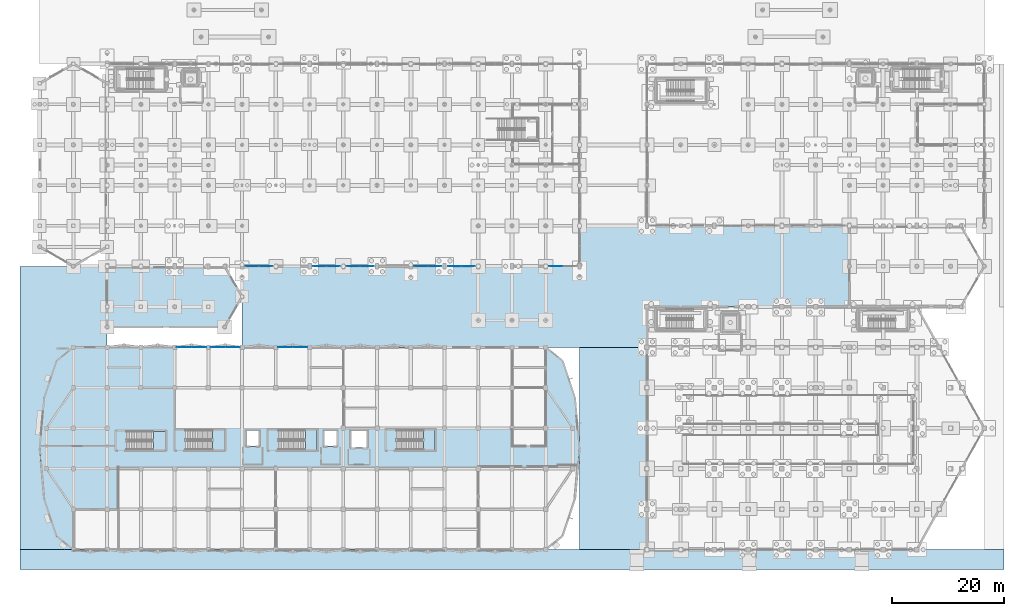
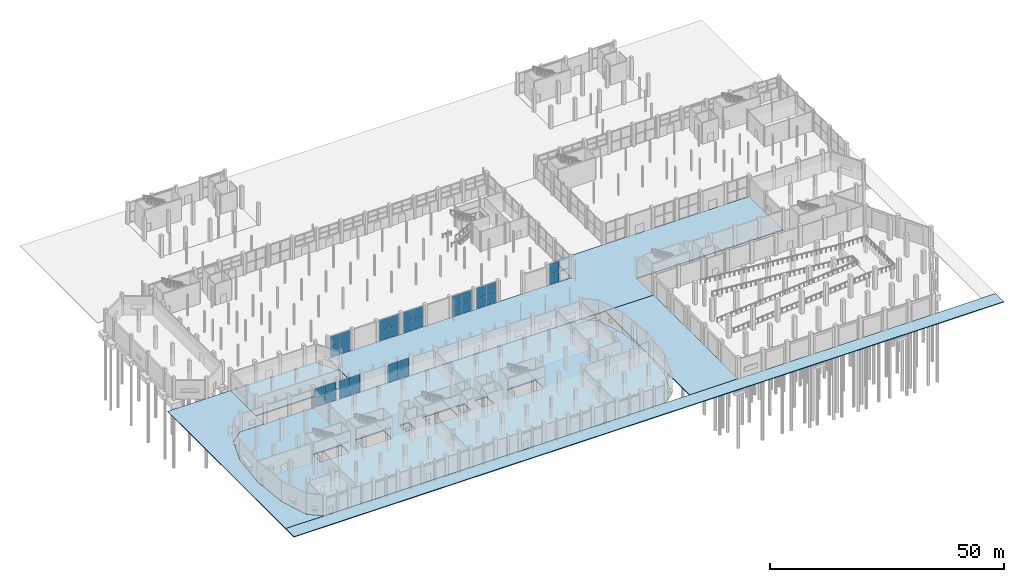
# One storey, part 70 of 103: 34 plates, 10 slabs, 13 elements without a shape of their own.
"""IFC4 building model written with IfcOpenShell, lengths in metres."""

import ifcopenshell
import ifcopenshell.guid

model = None  # the IFC model being written
_history = None  # IfcOwnerHistory: only IFC2X3 demands one
_inside = {}  # id of a spatial element -> (the spatial element, [elements in it])
_under = {}  # id of a project, library or spatial element -> (it, [spatial elements below it])
_declared = {}  # id of a project -> (the project, [libraries it declares])
_typed = {}  # id of a type object -> (the type object, [elements of that type])
_made_of = {}  # id of a material, layer set ... -> (it, [elements and type objects made of it])


def new_model(schema):
    """Start an empty IFC model of exactly this schema.

    Asked for "IFC4X3", IfcOpenShell would pick the latest addendum, in which some entities
    have other attributes; the version numbers below select the first issue.
    IFC2X3 requires an IfcOwnerHistory on every rooted entity: one is made here for all.
    """
    global model, _history
    if schema == "IFC4X3":
        model = ifcopenshell.file(schema_version=(4, 3, 0, 0))
    else:
        model = ifcopenshell.file(schema=schema)
    _inside.clear()
    _under.clear()
    _declared.clear()
    _typed.clear()
    _made_of.clear()
    _history = None
    if model.schema == "IFC2X3":
        org = make("IfcOrganization", Name="unknown")
        user = make(
            "IfcPersonAndOrganization",
            ThePerson=make("IfcPerson", FamilyName="unknown"),
            TheOrganization=org,
        )
        app = make(
            "IfcApplication",
            ApplicationDeveloper=org,
            Version="unknown",
            ApplicationFullName="unknown",
            ApplicationIdentifier="unknown",
        )
        _history = make(
            "IfcOwnerHistory",
            OwningUser=user,
            OwningApplication=app,
            ChangeAction="ADDED",
            CreationDate=0,
        )
    return model


def make(cls, **values):
    """One entity of the class cls with the attributes given. An attribute that is None is left unset."""
    return model.create_entity(
        cls, **{name: value for name, value in values.items() if value is not None}
    )


def rooted(cls, **values):
    """An entity with a GlobalId (a new one), such as an element, a storey or a relation."""
    return make(cls, GlobalId=ifcopenshell.guid.new(), OwnerHistory=_history, **values)


def si_unit(unit_type, name, prefix=None):
    """IfcSIUnit, for example si_unit("LENGTHUNIT", "METRE", prefix="MILLI")."""
    return make("IfcSIUnit", UnitType=unit_type, Prefix=prefix, Name=name)


def assignment(units):
    """IfcUnitAssignment: the units of a project."""
    return None if units is None else make("IfcUnitAssignment", Units=units)


def point(xyz):
    """IfcCartesianPoint."""
    return None if xyz is None else make("IfcCartesianPoint", Coordinates=xyz)


def direction(xyz):
    """IfcDirection."""
    return None if xyz is None else make("IfcDirection", DirectionRatios=xyz)


def frame(location, z_axis=None, x_axis=None):
    """IfcAxis2Placement3D, a coordinate frame: its origin and axes. An axis left out is left unset."""
    return make(
        "IfcAxis2Placement3D",
        Location=point(location),
        Axis=direction(z_axis),
        RefDirection=direction(x_axis),
    )


def frame_2d(location, x_axis=None):
    """IfcAxis2Placement2D, a coordinate frame in the plane: its origin and x axis."""
    return make(
        "IfcAxis2Placement2D", Location=point(location), RefDirection=direction(x_axis)
    )


def origin():
    """The frame at (0, 0, 0) with its axes left unset."""
    return frame((0.0, 0.0, 0.0))


def origin_2d():
    """The frame at (0, 0) in the plane with its x axis left unset."""
    return frame_2d((0.0, 0.0))


def place(relative_to, where):
    """IfcLocalPlacement: puts the frame where relative to a parent placement (None: the world)."""
    return make(
        "IfcLocalPlacement", PlacementRelTo=relative_to, RelativePlacement=where
    )


def context(
    kind, dimensions, precision=None, world=None, true_north=None, identifier=None
):
    """IfcGeometricRepresentationContext, for example the 3D "Model" context."""
    return make(
        "IfcGeometricRepresentationContext",
        ContextIdentifier=identifier,
        ContextType=kind,
        CoordinateSpaceDimension=dimensions,
        Precision=precision,
        WorldCoordinateSystem=world,
        TrueNorth=true_north,
    )


def subcontext(parent, identifier, kind, view, scale=None):
    """IfcGeometricRepresentationSubContext, for example "Body" below "Model"."""
    return make(
        "IfcGeometricRepresentationSubContext",
        ContextIdentifier=identifier,
        ContextType=kind,
        ParentContext=parent,
        TargetScale=scale,
        TargetView=view,
    )


def project(units=None, contexts=None):
    """IfcProject with its units and contexts."""
    return rooted(
        "IfcProject",
        Name="project",
        RepresentationContexts=contexts,
        UnitsInContext=assignment(units),
    )


def spatial(cls, under=None, at=None, **own):
    """A site, building, storey or space (cls), placed at a placement, below another one or the project."""
    s = rooted(cls, ObjectPlacement=at, **own)
    if under is not None:
        _under.setdefault(under.id(), (under, []))[1].append(s)
    return s


def polyline(points):
    """IfcPolyline through the points."""
    return make("IfcPolyline", Points=[point(p) for p in points])


def profile(cls, at=None, kind="AREA", **sizes):
    """A parametric profile (cls). Its sizes go by their IFC names, for example OverallWidth=200.0."""
    return make(cls, ProfileType=kind, Position=at, **sizes)


def rectangle(**sizes):
    """IfcRectangleProfileDef."""
    return profile("IfcRectangleProfileDef", **sizes)


def outline(outer, holes=None, kind="AREA"):
    """IfcArbitraryClosedProfileDef: a profile drawn as a closed curve; with holes, ...WithVoids."""
    if holes is None:
        return make("IfcArbitraryClosedProfileDef", ProfileType=kind, OuterCurve=outer)
    return make(
        "IfcArbitraryProfileDefWithVoids",
        ProfileType=kind,
        OuterCurve=outer,
        InnerCurves=holes,
    )


def extrude(swept, where, along, depth):
    """IfcExtrudedAreaSolid: the profile swept, set in the frame where, extruded along a direction by depth."""
    return make(
        "IfcExtrudedAreaSolid",
        SweptArea=swept,
        Position=where,
        ExtrudedDirection=direction(along),
        Depth=depth,
    )


def shape(context_of_items, identifier, shape_type, items):
    """IfcShapeRepresentation: the items that make up one representation, for example the "Body"."""
    return make(
        "IfcShapeRepresentation",
        ContextOfItems=context_of_items,
        RepresentationIdentifier=identifier,
        RepresentationType=shape_type,
        Items=items,
    )


def material(Name=None, Category=None):
    """IfcMaterial."""
    return make("IfcMaterial", Name=Name, Category=Category)


def layer(
    of_material, thickness, ventilated=None, Name=None, Category=None, Priority=None
):
    """IfcMaterialLayer: one layer of a wall or slab, of a material (None: an air gap)."""
    return make(
        "IfcMaterialLayer",
        Material=of_material,
        LayerThickness=thickness,
        IsVentilated=ventilated,
        Name=Name,
        Category=Category,
        Priority=Priority,
    )


def layer_set(layers, Name=None):
    """IfcMaterialLayerSet."""
    return make("IfcMaterialLayerSet", MaterialLayers=layers, LayerSetName=Name)


def made_of(thing, what):
    """Note that an element or type object is made of a material, layer set ...; save() writes the relation."""
    if what is not None:
        _made_of.setdefault(what.id(), (what, []))[1].append(thing)
    return thing


def type_object(cls, material=None, **own):
    """A type object (cls), such as IfcWallType, which elements share."""
    return made_of(rooted(cls, **own), material)


def element(
    cls,
    number,
    at=None,
    inside=None,
    cuts=None,
    type_object=None,
    material=None,
    context=None,
    identifier="Body",
    shape_type=None,
    held_by="IfcProductDefinitionShape",
    body=None,
    shapes=None,
    **own,
):
    """One element of the class cls, such as IfcWall. Its Tag is "e" and its number.

    at: its placement. inside: the storey or other place that contains it. cuts: it is an
    opening in that element (IfcRelVoidsElement). A single representation is given by context,
    identifier, shape_type and body (its items); several are given by shapes. held_by: the class
    of the entity that holds the representations. save() writes the other relations.
    """
    e = rooted(cls, Tag="e%d" % number, ObjectPlacement=at, **own)
    if body is not None:
        shapes = [shape(context, identifier, shape_type, body)]
    if shapes is not None:
        e.Representation = make(held_by, Representations=shapes)
    if inside is not None:
        _inside.setdefault(inside.id(), (inside, []))[1].append(e)
    if cuts is not None:
        rooted(
            "IfcRelVoidsElement", RelatingBuildingElement=cuts, RelatedOpeningElement=e
        )
    if type_object is not None:
        _typed.setdefault(type_object.id(), (type_object, []))[1].append(e)
    return made_of(e, material)


def aggregate(whole, parts):
    """IfcRelAggregates: a whole, such as a stair, and the parts it consists of."""
    return rooted("IfcRelAggregates", RelatingObject=whole, RelatedObjects=parts)


def save(model, path):
    """Write the relations noted so far, then the file.

    IfcRelAggregates (storeys below a building ...), IfcRelContainedInSpatialStructure (elements
    in a storey), IfcRelDefinesByType, IfcRelAssociatesMaterial and IfcRelDeclares: one each for
    every whole, place, type object, material and project.
    """
    for whole, parts in _under.values():
        aggregate(whole, parts)
    for where, things in _inside.values():
        rooted(
            "IfcRelContainedInSpatialStructure",
            RelatedElements=things,
            RelatingStructure=where,
        )
    for kind, things in _typed.values():
        rooted("IfcRelDefinesByType", RelatedObjects=things, RelatingType=kind)
    for what, things in _made_of.values():
        rooted("IfcRelAssociatesMaterial", RelatedObjects=things, RelatingMaterial=what)
    for by, libraries in _declared.values():
        rooted("IfcRelDeclares", RelatingContext=by, RelatedDefinitions=libraries)
    model.write(path)


model = new_model("IFC4")

# Units and contexts
model_context = context("Model", 3, precision=1e-05, world=origin(), true_north=direction((0.0, 1.0)))
body_context = subcontext(model_context, "Body", "Model", "MODEL_VIEW")
ifc_project = project(units=[si_unit("LENGTHUNIT", "METRE"), si_unit("AREAUNIT", "SQUARE_METRE"), si_unit("VOLUMEUNIT", "CUBIC_METRE"), si_unit("PLANEANGLEUNIT", "RADIAN"), si_unit("MASSUNIT", "GRAM", prefix="KILO")], contexts=[model_context])

# Site, building, storey
site_placement = place(None, origin())
site = spatial("IfcSite", under=ifc_project, at=site_placement, CompositionType="ELEMENT")
building_placement = place(site_placement, origin())
building = spatial("IfcBuilding", under=site, at=building_placement, Name="Dunvalen Ferry Terminal", CompositionType="ELEMENT")
storey_placement = place(building_placement, origin())
storey = spatial("IfcBuildingStorey", under=building, at=storey_placement, Name="L00", CompositionType="ELEMENT", Elevation=0.0)

# Curtain wall, plates
ifc_material_1 = material(Name="Anodised marine aluminium and solar-control glazing", Category="aluminium")
ifc_layer_1 = layer(ifc_material_1, 0.14990234375, Name="Anodised marine aluminium and solar-control glazing")
ifc_layer_set_1 = layer_set([ifc_layer_1], Name="Anodised marine aluminium and solar-control glazing")
curtain_wall_type_1 = type_object("IfcCurtainWallType", Name="ENV-CW-SYS-11", PredefinedType="NOTDEFINED", material=ifc_layer_set_1)
curtain_wall_1_placement = place(storey_placement, origin())
curtain_wall_1 = element("IfcCurtainWall", 1, at=curtain_wall_1_placement, inside=storey, type_object=curtain_wall_type_1, Name="L00 Curtain Wall CW-V5CORE-L00-7-7", PredefinedType="NOTDEFINED")
ifc_material_2 = material(Name="Low-E solar-control laminated double glazing", Category="glass")
ifc_layer_2 = layer(ifc_material_2, 0.031982421875, Name="Low-E solar-control laminated double glazing")
ifc_layer_set_2 = layer_set([ifc_layer_2], Name="Low-E solar-control laminated double glazing")
plate_type_1 = type_object("IfcPlateType", Name="ENV-CW-PNL-2", PredefinedType="CURTAIN_PANEL", material=ifc_layer_set_2)
plate_1_placement = place(storey_placement, frame((46.30615234375, 36.0, 0.054931640625), z_axis=(0.0, 0.0, 1.0), x_axis=(-1.0, 0.0, 0.0)))
plate_1 = element("IfcPlate", 2, at=plate_1_placement, type_object=plate_type_1, Name="CW-11 panel 1.1", PredefinedType="CURTAIN_PANEL", context=body_context, shape_type="SweptSolid", body=[
    extrude(rectangle(XDim=2.5576171875, YDim=0.031982421875, at=origin_2d()), origin(), (0.0, 0.0, 1.0), 2.3125),
])
plate_2_placement = place(storey_placement, frame((46.30615234375, 36.0, 2.422607421875), z_axis=(0.0, 0.0, 1.0), x_axis=(-1.0, 0.0, 0.0)))
plate_2 = element("IfcPlate", 3, at=plate_2_placement, type_object=plate_type_1, Name="CW-11 panel 1.2", PredefinedType="CURTAIN_PANEL", context=body_context, shape_type="SweptSolid", body=[
    extrude(rectangle(XDim=2.5576171875, YDim=0.031982421875, at=origin_2d()), origin(), (0.0, 0.0, 1.0), 2.3125),
])
plate_3_placement = place(storey_placement, frame((43.69384765625, 36.0, 0.054931640625), z_axis=(0.0, 0.0, 1.0), x_axis=(-1.0, 0.0, 0.0)))
plate_3 = element("IfcPlate", 4, at=plate_3_placement, type_object=plate_type_1, Name="CW-11 panel 2.1", PredefinedType="CURTAIN_PANEL", context=body_context, shape_type="SweptSolid", body=[
    extrude(rectangle(XDim=2.5576171875, YDim=0.031982421875, at=origin_2d()), origin(), (0.0, 0.0, 1.0), 2.3125),
])
plate_4_placement = place(storey_placement, frame((43.69384765625, 36.0, 2.422607421875), z_axis=(0.0, 0.0, 1.0), x_axis=(-1.0, 0.0, 0.0)))
plate_4 = element("IfcPlate", 5, at=plate_4_placement, type_object=plate_type_1, Name="CW-11 panel 2.2", PredefinedType="CURTAIN_PANEL", context=body_context, shape_type="SweptSolid", body=[
    extrude(rectangle(XDim=2.5576171875, YDim=0.031982421875, at=origin_2d()), origin(), (0.0, 0.0, 1.0), 2.3125),
])
aggregate(curtain_wall_1, [plate_1, plate_2, plate_3, plate_4])

curtain_wall_2_placement = place(storey_placement, origin())
curtain_wall_2 = element("IfcCurtainWall", 6, at=curtain_wall_2_placement, inside=storey, type_object=curtain_wall_type_1, Name="L00 Curtain Wall CW-V5CORE-L00-7-9", PredefinedType="NOTDEFINED")
plate_5_placement = place(storey_placement, frame((34.30615234375, 36.0, 0.054931640625), z_axis=(0.0, 0.0, 1.0), x_axis=(-1.0, 0.0, 0.0)))
plate_5 = element("IfcPlate", 7, at=plate_5_placement, type_object=plate_type_1, Name="CW-11 panel 1.1", PredefinedType="CURTAIN_PANEL", context=body_context, shape_type="SweptSolid", body=[
    extrude(rectangle(XDim=2.5576171875, YDim=0.031982421875, at=origin_2d()), origin(), (0.0, 0.0, 1.0), 2.3125),
])
plate_6_placement = place(storey_placement, frame((34.30615234375, 36.0, 2.422607421875), z_axis=(0.0, 0.0, 1.0), x_axis=(-1.0, 0.0, 0.0)))
plate_6 = element("IfcPlate", 8, at=plate_6_placement, type_object=plate_type_1, Name="CW-11 panel 1.2", PredefinedType="CURTAIN_PANEL", context=body_context, shape_type="SweptSolid", body=[
    extrude(rectangle(XDim=2.5576171875, YDim=0.031982421875, at=origin_2d()), origin(), (0.0, 0.0, 1.0), 2.3125),
])
plate_7_placement = place(storey_placement, frame((31.69384765625, 36.0, 0.054931640625), z_axis=(0.0, 0.0, 1.0), x_axis=(-1.0, 0.0, 0.0)))
plate_7 = element("IfcPlate", 9, at=plate_7_placement, type_object=plate_type_1, Name="CW-11 panel 2.1", PredefinedType="CURTAIN_PANEL", context=body_context, shape_type="SweptSolid", body=[
    extrude(rectangle(XDim=2.5576171875, YDim=0.031982421875, at=origin_2d()), origin(), (0.0, 0.0, 1.0), 2.3125),
])
plate_8_placement = place(storey_placement, frame((31.69384765625, 36.0, 2.422607421875), z_axis=(0.0, 0.0, 1.0), x_axis=(-1.0, 0.0, 0.0)))
plate_8 = element("IfcPlate", 10, at=plate_8_placement, type_object=plate_type_1, Name="CW-11 panel 2.2", PredefinedType="CURTAIN_PANEL", context=body_context, shape_type="SweptSolid", body=[
    extrude(rectangle(XDim=2.5576171875, YDim=0.031982421875, at=origin_2d()), origin(), (0.0, 0.0, 1.0), 2.3125),
])
aggregate(curtain_wall_2, [plate_5, plate_6, plate_7, plate_8])

curtain_wall_3_placement = place(storey_placement, origin())
curtain_wall_3 = element("IfcCurtainWall", 11, at=curtain_wall_3_placement, inside=storey, type_object=curtain_wall_type_1, Name="L00 Curtain Wall CW-V5CORE-L00-7-10", PredefinedType="NOTDEFINED")
plate_9_placement = place(storey_placement, frame((28.30615234375, 36.0, 0.054931640625), z_axis=(0.0, 0.0, 1.0), x_axis=(-1.0, 0.0, 0.0)))
plate_9 = element("IfcPlate", 12, at=plate_9_placement, type_object=plate_type_1, Name="CW-11 panel 1.1", PredefinedType="CURTAIN_PANEL", context=body_context, shape_type="SweptSolid", body=[
    extrude(rectangle(XDim=2.5576171875, YDim=0.031982421875, at=origin_2d()), origin(), (0.0, 0.0, 1.0), 2.3125),
])
plate_10_placement = place(storey_placement, frame((28.30615234375, 36.0, 2.422607421875), z_axis=(0.0, 0.0, 1.0), x_axis=(-1.0, 0.0, 0.0)))
plate_10 = element("IfcPlate", 13, at=plate_10_placement, type_object=plate_type_1, Name="CW-11 panel 1.2", PredefinedType="CURTAIN_PANEL", context=body_context, shape_type="SweptSolid", body=[
    extrude(rectangle(XDim=2.5576171875, YDim=0.031982421875, at=origin_2d()), origin(), (0.0, 0.0, 1.0), 2.3125),
])
plate_11_placement = place(storey_placement, frame((25.69384765625, 36.0, 0.054931640625), z_axis=(0.0, 0.0, 1.0), x_axis=(-1.0, 0.0, 0.0)))
plate_11 = element("IfcPlate", 14, at=plate_11_placement, type_object=plate_type_1, Name="CW-11 panel 2.1", PredefinedType="CURTAIN_PANEL", context=body_context, shape_type="SweptSolid", body=[
    extrude(rectangle(XDim=2.5576171875, YDim=0.031982421875, at=origin_2d()), origin(), (0.0, 0.0, 1.0), 2.3125),
])
plate_12_placement = place(storey_placement, frame((25.69384765625, 36.0, 2.422607421875), z_axis=(0.0, 0.0, 1.0), x_axis=(-1.0, 0.0, 0.0)))
plate_12 = element("IfcPlate", 15, at=plate_12_placement, type_object=plate_type_1, Name="CW-11 panel 2.2", PredefinedType="CURTAIN_PANEL", context=body_context, shape_type="SweptSolid", body=[
    extrude(rectangle(XDim=2.5576171875, YDim=0.031982421875, at=origin_2d()), origin(), (0.0, 0.0, 1.0), 2.3125),
])
aggregate(curtain_wall_3, [plate_9, plate_10, plate_11, plate_12])

ifc_layer_3 = layer(ifc_material_1, 0.219970703125, Name="Anodised marine aluminium and solar-control glazing")
ifc_layer_set_3 = layer_set([ifc_layer_3], Name="Anodised marine aluminium and solar-control glazing")
curtain_wall_type_2 = type_object("IfcCurtainWallType", Name="ENV-CW-SYS-01", PredefinedType="NOTDEFINED", material=ifc_layer_set_3)
curtain_wall_4_placement = place(storey_placement, origin())
curtain_wall_4 = element("IfcCurtainWall", 16, at=curtain_wall_4_placement, inside=storey, type_object=curtain_wall_type_2, Name="L00 Curtain Wall CW-V1S-L00-01", PredefinedType="NOTDEFINED")
ifc_layer_4 = layer(ifc_material_2, 0.035888671875, Name="Low-E solar-control laminated double glazing")
ifc_layer_set_4 = layer_set([ifc_layer_4], Name="Low-E solar-control laminated double glazing")
plate_type_2 = type_object("IfcPlateType", Name="ENV-CW-PNL-3", PredefinedType="CURTAIN_PANEL", material=ifc_layer_set_4)
plate_13_placement = place(storey_placement, frame((37.796142578125, 50.39990234375, 0.06494140625), z_axis=(0.0, 0.0, 1.0), x_axis=(1.0, 0.0, 0.0)))
plate_13 = element("IfcPlate", 17, at=plate_13_placement, type_object=plate_type_2, Name="CW-01 panel 1.1", PredefinedType="CURTAIN_PANEL", context=body_context, shape_type="SweptSolid", body=[
    extrude(rectangle(XDim=2.342529296875, YDim=0.035888671875, at=origin_2d()), origin(), (0.0, 0.0, 1.0), 2.62744140625),
])
plate_14_placement = place(storey_placement, frame((37.796142578125, 50.39990234375, 2.757568359375), z_axis=(0.0, 0.0, 1.0), x_axis=(1.0, 0.0, 0.0)))
plate_14 = element("IfcPlate", 18, at=plate_14_placement, type_object=plate_type_2, Name="CW-01 panel 1.2", PredefinedType="CURTAIN_PANEL", context=body_context, shape_type="SweptSolid", body=[
    extrude(rectangle(XDim=2.342529296875, YDim=0.035888671875, at=origin_2d()), origin(), (0.0, 0.0, 1.0), 2.62744140625),
])
plate_15_placement = place(storey_placement, frame((40.203857421875, 50.39990234375, 0.06494140625), z_axis=(0.0, 0.0, 1.0), x_axis=(1.0, 0.0, 0.0)))
plate_15 = element("IfcPlate", 19, at=plate_15_placement, type_object=plate_type_2, Name="CW-01 panel 2.1", PredefinedType="CURTAIN_PANEL", context=body_context, shape_type="SweptSolid", body=[
    extrude(rectangle(XDim=2.342529296875, YDim=0.035888671875, at=origin_2d()), origin(), (0.0, 0.0, 1.0), 2.62744140625),
])
plate_16_placement = place(storey_placement, frame((40.203857421875, 50.39990234375, 2.757568359375), z_axis=(0.0, 0.0, 1.0), x_axis=(1.0, 0.0, 0.0)))
plate_16 = element("IfcPlate", 20, at=plate_16_placement, type_object=plate_type_2, Name="CW-01 panel 2.2", PredefinedType="CURTAIN_PANEL", context=body_context, shape_type="SweptSolid", body=[
    extrude(rectangle(XDim=2.342529296875, YDim=0.035888671875, at=origin_2d()), origin(), (0.0, 0.0, 1.0), 2.62744140625),
])
aggregate(curtain_wall_4, [plate_13, plate_14, plate_15, plate_16])

curtain_wall_5_placement = place(storey_placement, origin())
curtain_wall_5 = element("IfcCurtainWall", 21, at=curtain_wall_5_placement, inside=storey, type_object=curtain_wall_type_2, Name="L00 Curtain Wall CW-V1S-L00-03", PredefinedType="NOTDEFINED")
plate_17_placement = place(storey_placement, frame((49.796142578125, 50.39990234375, 0.06494140625), z_axis=(0.0, 0.0, 1.0), x_axis=(1.0, 0.0, 0.0)))
plate_17 = element("IfcPlate", 22, at=plate_17_placement, type_object=plate_type_2, Name="CW-01 panel 1.1", PredefinedType="CURTAIN_PANEL", context=body_context, shape_type="SweptSolid", body=[
    extrude(rectangle(XDim=2.342529296875, YDim=0.035888671875, at=origin_2d()), origin(), (0.0, 0.0, 1.0), 2.62744140625),
])
plate_18_placement = place(storey_placement, frame((49.796142578125, 50.39990234375, 2.757568359375), z_axis=(0.0, 0.0, 1.0), x_axis=(1.0, 0.0, 0.0)))
plate_18 = element("IfcPlate", 23, at=plate_18_placement, type_object=plate_type_2, Name="CW-01 panel 1.2", PredefinedType="CURTAIN_PANEL", context=body_context, shape_type="SweptSolid", body=[
    extrude(rectangle(XDim=2.342529296875, YDim=0.035888671875, at=origin_2d()), origin(), (0.0, 0.0, 1.0), 2.62744140625),
])
plate_19_placement = place(storey_placement, frame((52.203857421875, 50.39990234375, 0.06494140625), z_axis=(0.0, 0.0, 1.0), x_axis=(1.0, 0.0, 0.0)))
plate_19 = element("IfcPlate", 24, at=plate_19_placement, type_object=plate_type_2, Name="CW-01 panel 2.1", PredefinedType="CURTAIN_PANEL", context=body_context, shape_type="SweptSolid", body=[
    extrude(rectangle(XDim=2.342529296875, YDim=0.035888671875, at=origin_2d()), origin(), (0.0, 0.0, 1.0), 2.62744140625),
])
plate_20_placement = place(storey_placement, frame((52.203857421875, 50.39990234375, 2.757568359375), z_axis=(0.0, 0.0, 1.0), x_axis=(1.0, 0.0, 0.0)))
plate_20 = element("IfcPlate", 25, at=plate_20_placement, type_object=plate_type_2, Name="CW-01 panel 2.2", PredefinedType="CURTAIN_PANEL", context=body_context, shape_type="SweptSolid", body=[
    extrude(rectangle(XDim=2.342529296875, YDim=0.035888671875, at=origin_2d()), origin(), (0.0, 0.0, 1.0), 2.62744140625),
])
aggregate(curtain_wall_5, [plate_17, plate_18, plate_19, plate_20])

curtain_wall_6_placement = place(storey_placement, origin())
curtain_wall_6 = element("IfcCurtainWall", 26, at=curtain_wall_6_placement, inside=storey, type_object=curtain_wall_type_2, Name="L00 Curtain Wall CW-V1S-L00-04", PredefinedType="NOTDEFINED")
plate_21_placement = place(storey_placement, frame((55.796142578125, 50.39990234375, 0.06494140625), z_axis=(0.0, 0.0, 1.0), x_axis=(1.0, 0.0, 0.0)))
plate_21 = element("IfcPlate", 27, at=plate_21_placement, type_object=plate_type_2, Name="CW-01 panel 1.1", PredefinedType="CURTAIN_PANEL", context=body_context, shape_type="SweptSolid", body=[
    extrude(rectangle(XDim=2.342529296875, YDim=0.035888671875, at=origin_2d()), origin(), (0.0, 0.0, 1.0), 2.62744140625),
])
plate_22_placement = place(storey_placement, frame((55.796142578125, 50.39990234375, 2.757568359375), z_axis=(0.0, 0.0, 1.0), x_axis=(1.0, 0.0, 0.0)))
plate_22 = element("IfcPlate", 28, at=plate_22_placement, type_object=plate_type_2, Name="CW-01 panel 1.2", PredefinedType="CURTAIN_PANEL", context=body_context, shape_type="SweptSolid", body=[
    extrude(rectangle(XDim=2.342529296875, YDim=0.035888671875, at=origin_2d()), origin(), (0.0, 0.0, 1.0), 2.62744140625),
])
plate_23_placement = place(storey_placement, frame((58.203857421875, 50.39990234375, 0.06494140625), z_axis=(0.0, 0.0, 1.0), x_axis=(1.0, 0.0, 0.0)))
plate_23 = element("IfcPlate", 29, at=plate_23_placement, type_object=plate_type_2, Name="CW-01 panel 2.1", PredefinedType="CURTAIN_PANEL", context=body_context, shape_type="SweptSolid", body=[
    extrude(rectangle(XDim=2.342529296875, YDim=0.035888671875, at=origin_2d()), origin(), (0.0, 0.0, 1.0), 2.62744140625),
])
plate_24_placement = place(storey_placement, frame((58.203857421875, 50.39990234375, 2.757568359375), z_axis=(0.0, 0.0, 1.0), x_axis=(1.0, 0.0, 0.0)))
plate_24 = element("IfcPlate", 30, at=plate_24_placement, type_object=plate_type_2, Name="CW-01 panel 2.2", PredefinedType="CURTAIN_PANEL", context=body_context, shape_type="SweptSolid", body=[
    extrude(rectangle(XDim=2.342529296875, YDim=0.035888671875, at=origin_2d()), origin(), (0.0, 0.0, 1.0), 2.62744140625),
])
aggregate(curtain_wall_6, [plate_21, plate_22, plate_23, plate_24])

curtain_wall_7_placement = place(storey_placement, origin())
curtain_wall_7 = element("IfcCurtainWall", 31, at=curtain_wall_7_placement, inside=storey, type_object=curtain_wall_type_2, Name="L00 Curtain Wall CW-V1S-L00-06", PredefinedType="NOTDEFINED")
plate_25_placement = place(storey_placement, frame((67.796142578125, 50.39990234375, 0.06494140625), z_axis=(0.0, 0.0, 1.0), x_axis=(1.0, 0.0, 0.0)))
plate_25 = element("IfcPlate", 32, at=plate_25_placement, type_object=plate_type_2, Name="CW-01 panel 1.1", PredefinedType="CURTAIN_PANEL", context=body_context, shape_type="SweptSolid", body=[
    extrude(rectangle(XDim=2.342529296875, YDim=0.035888671875, at=origin_2d()), origin(), (0.0, 0.0, 1.0), 2.62744140625),
])
plate_26_placement = place(storey_placement, frame((67.796142578125, 50.39990234375, 2.757568359375), z_axis=(0.0, 0.0, 1.0), x_axis=(1.0, 0.0, 0.0)))
plate_26 = element("IfcPlate", 33, at=plate_26_placement, type_object=plate_type_2, Name="CW-01 panel 1.2", PredefinedType="CURTAIN_PANEL", context=body_context, shape_type="SweptSolid", body=[
    extrude(rectangle(XDim=2.342529296875, YDim=0.035888671875, at=origin_2d()), origin(), (0.0, 0.0, 1.0), 2.62744140625),
])
plate_27_placement = place(storey_placement, frame((70.203857421875, 50.39990234375, 0.06494140625), z_axis=(0.0, 0.0, 1.0), x_axis=(1.0, 0.0, 0.0)))
plate_27 = element("IfcPlate", 34, at=plate_27_placement, type_object=plate_type_2, Name="CW-01 panel 2.1", PredefinedType="CURTAIN_PANEL", context=body_context, shape_type="SweptSolid", body=[
    extrude(rectangle(XDim=2.342529296875, YDim=0.035888671875, at=origin_2d()), origin(), (0.0, 0.0, 1.0), 2.62744140625),
])
plate_28_placement = place(storey_placement, frame((70.203857421875, 50.39990234375, 2.757568359375), z_axis=(0.0, 0.0, 1.0), x_axis=(1.0, 0.0, 0.0)))
plate_28 = element("IfcPlate", 35, at=plate_28_placement, type_object=plate_type_2, Name="CW-01 panel 2.2", PredefinedType="CURTAIN_PANEL", context=body_context, shape_type="SweptSolid", body=[
    extrude(rectangle(XDim=2.342529296875, YDim=0.035888671875, at=origin_2d()), origin(), (0.0, 0.0, 1.0), 2.62744140625),
])
aggregate(curtain_wall_7, [plate_25, plate_26, plate_27, plate_28])

curtain_wall_8_placement = place(storey_placement, origin())
curtain_wall_8 = element("IfcCurtainWall", 36, at=curtain_wall_8_placement, inside=storey, type_object=curtain_wall_type_2, Name="L00 Curtain Wall CW-V1S-L00-07", PredefinedType="NOTDEFINED")
plate_29_placement = place(storey_placement, frame((73.796142578125, 50.39990234375, 0.06494140625), z_axis=(0.0, 0.0, 1.0), x_axis=(1.0, 0.0, 0.0)))
plate_29 = element("IfcPlate", 37, at=plate_29_placement, type_object=plate_type_2, Name="CW-01 panel 1.1", PredefinedType="CURTAIN_PANEL", context=body_context, shape_type="SweptSolid", body=[
    extrude(rectangle(XDim=2.342529296875, YDim=0.035888671875, at=origin_2d()), origin(), (0.0, 0.0, 1.0), 2.62744140625),
])
plate_30_placement = place(storey_placement, frame((73.796142578125, 50.39990234375, 2.757568359375), z_axis=(0.0, 0.0, 1.0), x_axis=(1.0, 0.0, 0.0)))
plate_30 = element("IfcPlate", 38, at=plate_30_placement, type_object=plate_type_2, Name="CW-01 panel 1.2", PredefinedType="CURTAIN_PANEL", context=body_context, shape_type="SweptSolid", body=[
    extrude(rectangle(XDim=2.342529296875, YDim=0.035888671875, at=origin_2d()), origin(), (0.0, 0.0, 1.0), 2.62744140625),
])
plate_31_placement = place(storey_placement, frame((76.203857421875, 50.39990234375, 0.06494140625), z_axis=(0.0, 0.0, 1.0), x_axis=(1.0, 0.0, 0.0)))
plate_31 = element("IfcPlate", 39, at=plate_31_placement, type_object=plate_type_2, Name="CW-01 panel 2.1", PredefinedType="CURTAIN_PANEL", context=body_context, shape_type="SweptSolid", body=[
    extrude(rectangle(XDim=2.342529296875, YDim=0.035888671875, at=origin_2d()), origin(), (0.0, 0.0, 1.0), 2.62744140625),
])
plate_32_placement = place(storey_placement, frame((76.203857421875, 50.39990234375, 2.757568359375), z_axis=(0.0, 0.0, 1.0), x_axis=(1.0, 0.0, 0.0)))
plate_32 = element("IfcPlate", 40, at=plate_32_placement, type_object=plate_type_2, Name="CW-01 panel 2.2", PredefinedType="CURTAIN_PANEL", context=body_context, shape_type="SweptSolid", body=[
    extrude(rectangle(XDim=2.342529296875, YDim=0.035888671875, at=origin_2d()), origin(), (0.0, 0.0, 1.0), 2.62744140625),
])
aggregate(curtain_wall_8, [plate_29, plate_30, plate_31, plate_32])

curtain_wall_9_placement = place(storey_placement, origin())
curtain_wall_9 = element("IfcCurtainWall", 41, at=curtain_wall_9_placement, inside=storey, type_object=curtain_wall_type_2, Name="L00 Curtain Wall CW-V1S-L00-10", PredefinedType="NOTDEFINED")
plate_33_placement = place(storey_placement, frame((91.796142578125, 50.39990234375, 0.06494140625), z_axis=(0.0, 0.0, 1.0), x_axis=(1.0, 0.0, 0.0)))
plate_33 = element("IfcPlate", 42, at=plate_33_placement, type_object=plate_type_2, Name="CW-01 panel 1.1", PredefinedType="CURTAIN_PANEL", context=body_context, shape_type="SweptSolid", body=[
    extrude(rectangle(XDim=2.342529296875, YDim=0.035888671875, at=origin_2d()), origin(), (0.0, 0.0, 1.0), 2.62744140625),
])
plate_34_placement = place(storey_placement, frame((91.796142578125, 50.39990234375, 2.757568359375), z_axis=(0.0, 0.0, 1.0), x_axis=(1.0, 0.0, 0.0)))
plate_34 = element("IfcPlate", 43, at=plate_34_placement, type_object=plate_type_2, Name="CW-01 panel 1.2", PredefinedType="CURTAIN_PANEL", context=body_context, shape_type="SweptSolid", body=[
    extrude(rectangle(XDim=2.342529296875, YDim=0.035888671875, at=origin_2d()), origin(), (0.0, 0.0, 1.0), 2.62744140625),
])
aggregate(curtain_wall_9, [plate_33, plate_34])

# Stair, slab
ifc_material_3 = material(Name="Concrete C35/45", Category="concrete")
stair_type_1 = type_object("IfcStairType", Name="INT-ST-DLG-06", PredefinedType="HALF_TURN_STAIR", material=ifc_material_3)
stair_1_placement = place(storey_placement, origin())
stair_1 = element("IfcStair", 44, at=stair_1_placement, inside=storey, type_object=stair_type_1, Name="L00 Protected Escape Stair 1", PredefinedType="HALF_TURN_STAIR")
ifc_layer_5 = layer(ifc_material_3, 0.199951171875, Name="Concrete C35/45")
ifc_layer_set_5 = layer_set([ifc_layer_5], Name="Concrete C35/45")
slab_type_1 = type_object("IfcSlabType", Name="INT-SLB-LND200", PredefinedType="LANDING", material=ifc_layer_set_5)
slab_1_placement = place(storey_placement, frame((0.0, 0.0, 2.679931640625)))
slab_1 = element("IfcSlab", 45, at=slab_1_placement, type_object=slab_type_1, Name="ST1 landing 1", PredefinedType="LANDING", context=body_context, shape_type="SweptSolid", body=[
    extrude(outline(polyline([(30.75, 17.75), (32.85009765625, 17.75), (32.85009765625, 21.25), (30.75, 21.25), (30.75, 17.75)])), origin(), (0.0, 0.0, 1.0), 0.199951171875),
])
aggregate(stair_1, [slab_1])

stair_2_placement = place(storey_placement, origin())
stair_2 = element("IfcStair", 46, at=stair_2_placement, inside=storey, type_object=stair_type_1, Name="L00 Protected Escape Stair 2", PredefinedType="HALF_TURN_STAIR")
slab_2_placement = place(storey_placement, frame((0.0, 0.0, 2.679931640625)))
slab_2 = element("IfcSlab", 47, at=slab_2_placement, type_object=slab_type_1, Name="ST2 landing 1", PredefinedType="LANDING", context=body_context, shape_type="SweptSolid", body=[
    extrude(outline(polyline([(47.25, 17.75), (49.35009765625, 17.75), (49.35009765625, 21.25), (47.25, 21.25), (47.25, 17.75)])), origin(), (0.0, 0.0, 1.0), 0.199951171875),
])
aggregate(stair_2, [slab_2])

stair_3_placement = place(storey_placement, origin())
stair_3 = element("IfcStair", 48, at=stair_3_placement, inside=storey, type_object=stair_type_1, Name="L00 Protected Escape Stair 3", PredefinedType="HALF_TURN_STAIR")
slab_3_placement = place(storey_placement, frame((0.0, 0.0, 2.679931640625)))
slab_3 = element("IfcSlab", 49, at=slab_3_placement, type_object=slab_type_1, Name="ST3 landing 1", PredefinedType="LANDING", context=body_context, shape_type="SweptSolid", body=[
    extrude(outline(polyline([(68.25, 17.75), (70.35009765625, 17.75), (70.35009765625, 21.25), (68.25, 21.25), (68.25, 17.75)])), origin(), (0.0, 0.0, 1.0), 0.199951171875),
])
aggregate(stair_3, [slab_3])

stair_type_2 = type_object("IfcStairType", Name="INT-ST-DLG-03", PredefinedType="HALF_TURN_STAIR", material=ifc_material_3)
stair_4_placement = place(storey_placement, origin())
stair_4 = element("IfcStair", 50, at=stair_4_placement, inside=storey, type_object=stair_type_2, Name="L00 Protected Escape Stair 5", PredefinedType="HALF_TURN_STAIR")
slab_4_placement = place(storey_placement, frame((0.0, 0.0, 2.679931640625)))
slab_4 = element("IfcSlab", 51, at=slab_4_placement, type_object=slab_type_1, Name="ST5 landing 1", PredefinedType="LANDING", context=body_context, shape_type="SweptSolid", body=[
    extrude(outline(polyline([(20.199951171875, 17.75), (22.35009765625, 17.75), (22.35009765625, 21.050048828125), (20.199951171875, 21.050048828125), (20.199951171875, 17.75)])), origin(), (0.0, 0.0, 1.0), 0.199951171875),
])
aggregate(stair_4, [slab_4])

# Slabs
ifc_material_4 = material(Name="Concrete C40/50", Category="concrete")
ifc_layer_6 = layer(ifc_material_4, 0.280029296875, Name="Concrete C40/50")
ifc_layer_set_6 = layer_set([ifc_layer_6], Name="Concrete C40/50")
slab_type_2 = type_object("IfcSlabType", Name="STR-SLB-FLR280", PredefinedType="FLOOR", material=ifc_layer_set_6)
slab_5_placement = place(storey_placement, frame((0.0, 0.0, -0.280029296875)))
element("IfcSlab", 52, at=slab_5_placement, inside=storey, type_object=slab_type_2, Name="L00 South-West Security Annex Floor Slab", PredefinedType="FLOOR", context=body_context, shape_type="SweptSolid", body=[
    extrude(outline(polyline([(12.0, 39.60009765625), (32.88232421875, 39.60009765625), (36.0, 45.0), (32.88232421875, 50.39990234375), (12.0, 50.39990234375), (12.0, 39.60009765625)])), origin(), (0.0, 0.0, 1.0), 0.280029296875),
])
ifc_layer_7 = layer(ifc_material_4, 0.300048828125, Name="Concrete C40/50")
ifc_layer_set_7 = layer_set([ifc_layer_7], Name="Concrete C40/50")
slab_type_3 = type_object("IfcSlabType", Name="STR-SLB-FLR300", PredefinedType="FLOOR", material=ifc_layer_set_7)
slab_6_placement = place(storey_placement, frame((0.0, 0.0, -0.300048828125)))
element("IfcSlab", 53, at=slab_6_placement, inside=storey, type_object=slab_type_3, Name="L00 Maritime Operations Wing Floor Slab", PredefinedType="FLOOR", context=body_context, shape_type="SweptSolid", body=[
    extrude(outline(polyline([(6.0, 0.0), (90.0, 0.0), (93.0, 2.41162109375), (95.1962890625, 9.0), (96.0, 18.0), (95.1962890625, 27.0), (93.0, 33.58837890625), (90.0, 36.0), (6.0, 36.0), (3.0, 33.58837890625), (0.8037109375, 27.0), (0.0, 18.0), (0.8037109375, 9.0), (3.0, 2.41162109375), (6.0, 0.0)]), holes=[polyline([(25.949951171875, 17.75), (32.85009765625, 17.75), (32.85009765625, 21.25), (25.949951171875, 21.25), (25.949951171875, 17.75)]), polyline([(42.449951171875, 17.75), (49.35009765625, 17.75), (49.35009765625, 21.25), (42.449951171875, 21.25), (42.449951171875, 17.75)]), polyline([(63.449951171875, 17.75), (70.35009765625, 17.75), (70.35009765625, 21.25), (63.449951171875, 21.25), (63.449951171875, 17.75)]), polyline([(15.39990234375, 17.75), (22.35009765625, 17.75), (22.35009765625, 21.050048828125), (15.39990234375, 21.050048828125), (15.39990234375, 17.75)]), polyline([(36.800048828125, 18.449951171875), (39.0, 18.449951171875), (39.0, 21.14990234375), (36.800048828125, 21.14990234375), (36.800048828125, 18.449951171875)]), polyline([(50.60009765625, 18.449951171875), (52.800048828125, 18.449951171875), (52.800048828125, 21.14990234375), (50.60009765625, 21.14990234375), (50.60009765625, 18.449951171875)]), polyline([(55.39990234375, 18.14990234375), (58.199951171875, 18.14990234375), (58.199951171875, 21.14990234375), (55.39990234375, 21.14990234375), (55.39990234375, 18.14990234375)])]), origin(), (0.0, 0.0, 1.0), 0.300048828125),
])
ifc_layer_8 = layer(ifc_material_4, 0.199951171875, Name="Concrete C40/50")
ifc_layer_set_8 = layer_set([ifc_layer_8], Name="Concrete C40/50")
slab_type_4 = type_object("IfcSlabType", Name="STR-SLB-PAV200", PredefinedType="FLOOR", material=ifc_layer_set_8)
slab_7_placement = place(storey_placement, frame((0.0, 0.0, -0.199951171875)))
element("IfcSlab", 54, at=slab_7_placement, inside=storey, type_object=slab_type_4, Name="L00 External Waterfront Paving FORECOURT-S 1", PredefinedType="FLOOR", context=body_context, shape_type="SweptSolid", body=[
    extrude(outline(polyline([(156.011474609375, 0.0), (156.0087890625, -0.0048828125), (156.00830078125, -0.005615234375), (156.007568359375, -0.00634765625), (156.007080078125, -0.007080078125), (156.00634765625, -0.0078125), (156.005615234375, -0.00830078125), (156.004638671875, -0.0087890625), (156.00390625, -0.00927734375), (156.0029296875, -0.009521484375), (156.001953125, -0.009765625), (156.0009765625, -0.010009765625), (156.0, -0.010009765625), (108.0, -0.010009765625), (107.9990234375, -0.010009765625), (107.998046875, -0.009765625), (107.9970703125, -0.009521484375), (107.99609375, -0.00927734375), (107.995361328125, -0.0087890625), (107.994384765625, -0.00830078125), (107.99365234375, -0.0078125), (107.992919921875, -0.007080078125), (107.9921875, -0.00634765625), (107.99169921875, -0.005615234375), (107.9912109375, -0.004638671875), (107.99072265625, -0.00390625), (107.990478515625, -0.0029296875), (107.990234375, -0.001953125), (107.989990234375, -0.0009765625), (107.989990234375, 0.0), (90.01611328125, 0.0), (90.00634765625, -0.0078125), (90.005615234375, -0.00830078125), (90.004638671875, -0.0087890625), (90.00390625, -0.00927734375), (90.0029296875, -0.009521484375), (90.001953125, -0.009765625), (90.0009765625, -0.010009765625), (90.0, -0.010009765625), (6.0, -0.010009765625), (5.9990234375, -0.010009765625), (5.998046875, -0.009765625), (5.9970703125, -0.009521484375), (5.99609375, -0.00927734375), (5.995361328125, -0.0087890625), (5.994384765625, -0.00830078125), (5.99365234375, -0.0078125), (5.98388671875, 0.0), (-3.5, 0.0), (-3.5, -3.5), (171.5, -3.5), (171.5, 0.0), (156.011474609375, 0.0)])), origin(), (0.0, 0.0, 1.0), 0.199951171875),
])
slab_8_placement = place(storey_placement, frame((0.0, 0.0, -0.199951171875)))
element("IfcSlab", 55, at=slab_8_placement, inside=storey, type_object=slab_type_4, Name="L00 External Waterfront Paving QUAY-WEST 1", PredefinedType="FLOOR", context=body_context, shape_type="SweptSolid", body=[
    extrude(outline(polyline([(5.98388671875, 0.0), (2.99365234375, 2.40380859375), (2.992919921875, 2.404296875), (2.992431640625, 2.405029296875), (2.99169921875, 2.40576171875), (2.9912109375, 2.406494140625), (2.990966796875, 2.407470703125), (2.990478515625, 2.408203125), (0.794189453125, 8.996826171875), (0.7939453125, 8.998046875), (0.793701171875, 8.9990234375), (-0.010009765625, 17.9990234375), (-0.010009765625, 18.0), (-0.010009765625, 18.0009765625), (0.793701171875, 27.0009765625), (0.7939453125, 27.001953125), (0.794189453125, 27.003173828125), (2.990478515625, 33.591796875), (2.990966796875, 33.592529296875), (2.9912109375, 33.593505859375), (2.99169921875, 33.59423828125), (2.992431640625, 33.594970703125), (2.992919921875, 33.595703125), (2.99365234375, 33.59619140625), (5.99365234375, 36.0078125), (5.994384765625, 36.00830078125), (5.995361328125, 36.0087890625), (5.99609375, 36.00927734375), (5.9970703125, 36.009521484375), (5.998046875, 36.009765625), (5.9990234375, 36.010009765625), (6.0, 36.010009765625), (12.0, 36.010009765625), (12.0, 39.590087890625), (11.9990234375, 39.590087890625), (11.998046875, 39.590087890625), (11.9970703125, 39.59033203125), (11.99609375, 39.5908203125), (11.995361328125, 39.59130859375), (11.994384765625, 39.591796875), (11.99365234375, 39.59228515625), (11.992919921875, 39.593017578125), (11.9921875, 39.59375), (11.99169921875, 39.594482421875), (11.9912109375, 39.59521484375), (11.99072265625, 39.59619140625), (11.990478515625, 39.59716796875), (11.990234375, 39.597900390625), (11.989990234375, 39.59912109375), (11.989990234375, 39.60009765625), (11.989990234375, 50.39990234375), (6.02001953125, 50.39990234375), (6.0048828125, 50.391357421875), (6.004150390625, 50.390869140625), (6.00341796875, 50.390380859375), (6.00244140625, 50.390380859375), (6.00146484375, 50.39013671875), (6.00048828125, 50.389892578125), (5.99951171875, 50.389892578125), (5.99853515625, 50.39013671875), (5.99755859375, 50.390380859375), (5.99658203125, 50.390380859375), (5.995849609375, 50.390869140625), (5.9951171875, 50.391357421875), (5.97998046875, 50.39990234375), (-3.5, 50.39990234375), (-3.5, 0.0), (5.98388671875, 0.0)])), origin(), (0.0, 0.0, 1.0), 0.199951171875),
])
slab_9_placement = place(storey_placement, frame((0.0, 0.0, -0.199951171875)))
element("IfcSlab", 56, at=slab_9_placement, inside=storey, type_object=slab_type_4, Name="L00 External Waterfront Paving COURT-CENTRAL 1", PredefinedType="FLOOR", context=body_context, shape_type="SweptSolid", body=[
    extrude(outline(polyline([(107.989990234375, 36.0), (107.989990234375, 43.199951171875), (107.989990234375, 43.200927734375), (107.990234375, 43.201904296875), (107.990478515625, 43.202880859375), (107.99072265625, 43.203857421875), (107.9912109375, 43.20458984375), (107.99169921875, 43.20556640625), (107.9921875, 43.206298828125), (107.992919921875, 43.20703125), (107.99365234375, 43.207763671875), (107.994384765625, 43.208251953125), (107.995361328125, 43.208740234375), (107.99609375, 43.209228515625), (107.9970703125, 43.209716796875), (107.998046875, 43.209716796875), (107.9990234375, 43.2099609375), (108.0, 43.2099609375), (143.989990234375, 43.2099609375), (143.989990234375, 57.590087890625), (108.0, 57.590087890625), (107.9990234375, 57.590087890625), (107.998046875, 57.590087890625), (107.9970703125, 57.59033203125), (107.99609375, 57.5908203125), (107.995361328125, 57.59130859375), (107.994384765625, 57.591796875), (107.99365234375, 57.59228515625), (107.992919921875, 57.593017578125), (107.9921875, 57.59375), (107.99169921875, 57.594482421875), (107.9912109375, 57.59521484375), (107.99072265625, 57.59619140625), (107.990478515625, 57.59716796875), (107.990234375, 57.597900390625), (107.989990234375, 57.59912109375), (107.989990234375, 57.60009765625), (96.010009765625, 57.60009765625), (96.010009765625, 50.39990234375), (96.010009765625, 50.39892578125), (96.009765625, 50.39794921875), (96.009521484375, 50.397216796875), (96.00927734375, 50.396240234375), (96.0087890625, 50.395263671875), (96.00830078125, 50.394287109375), (96.0078125, 50.393798828125), (96.007080078125, 50.392822265625), (96.00634765625, 50.392333984375), (96.005615234375, 50.3916015625), (96.004638671875, 50.39111328125), (96.00390625, 50.390869140625), (96.0029296875, 50.390380859375), (96.001953125, 50.39013671875), (96.0009765625, 50.389892578125), (96.0, 50.389892578125), (36.0, 50.389892578125), (36.0, 45.02001953125), (36.0087890625, 45.0048828125), (36.009033203125, 45.004150390625), (36.009521484375, 45.00341796875), (36.009765625, 45.00244140625), (36.010009765625, 45.00146484375), (36.010009765625, 45.00048828125), (36.010009765625, 44.99951171875), (36.010009765625, 44.99853515625), (36.009765625, 44.99755859375), (36.009521484375, 44.99658203125), (36.009033203125, 44.995849609375), (36.0087890625, 44.9951171875), (36.0, 44.97998046875), (36.0, 36.010009765625), (90.0, 36.010009765625), (90.0009765625, 36.010009765625), (90.001953125, 36.009765625), (90.0029296875, 36.009521484375), (90.00390625, 36.00927734375), (90.004638671875, 36.0087890625), (90.005615234375, 36.00830078125), (90.00634765625, 36.0078125), (90.01611328125, 36.0), (107.989990234375, 36.0)])), origin(), (0.0, 0.0, 1.0), 0.199951171875),
])
slab_10_placement = place(storey_placement, frame((0.0, 0.0, -0.199951171875)))
element("IfcSlab", 57, at=slab_10_placement, inside=storey, type_object=slab_type_4, Name="L00 External Waterfront Paving PASSAGE-S 1", PredefinedType="FLOOR", context=body_context, shape_type="SweptSolid", body=[
    extrude(outline(polyline([(107.989990234375, 0.0), (107.989990234375, 36.0), (96.0, 36.0), (96.0, 18.1123046875), (96.010009765625, 18.0009765625), (96.010009765625, 18.0), (96.010009765625, 17.9990234375), (96.0, 17.8876953125), (96.0, 0.0), (107.989990234375, 0.0)])), origin(), (0.0, 0.0, 1.0), 0.199951171875),
])

save(model, "model.ifc")
